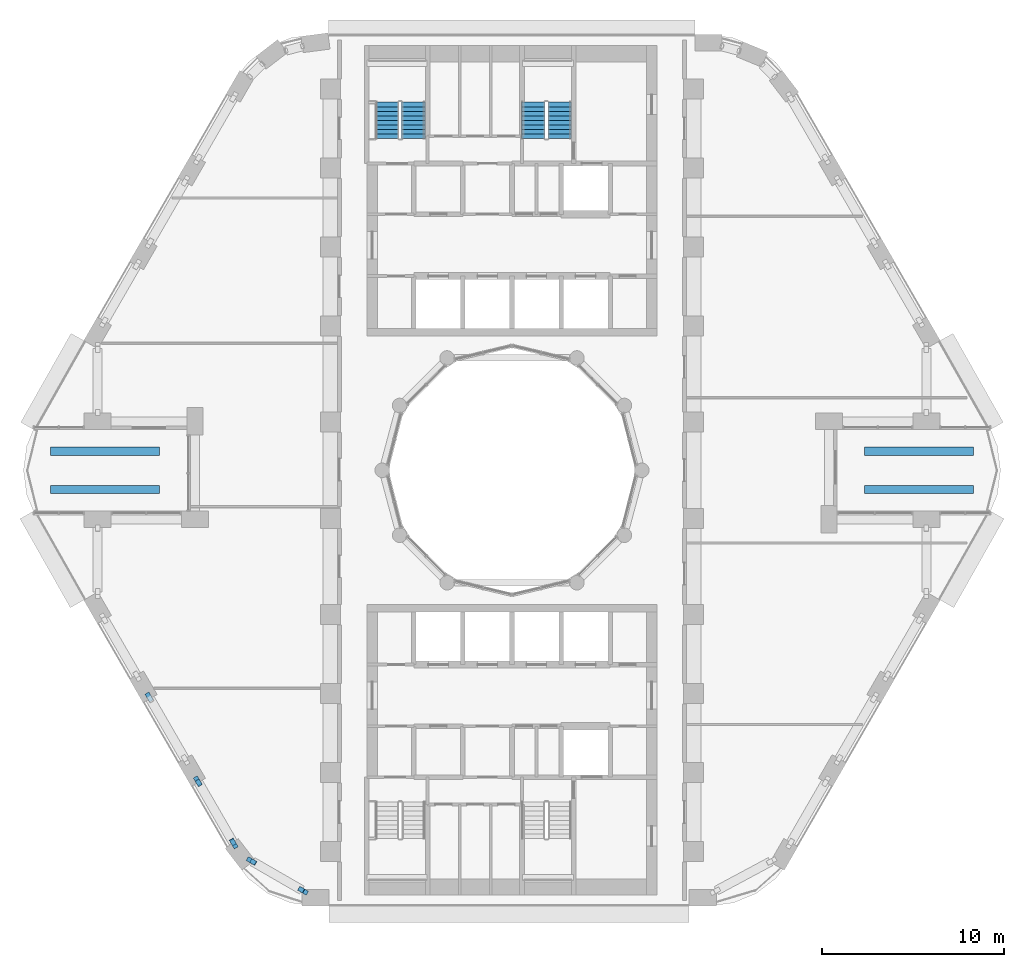
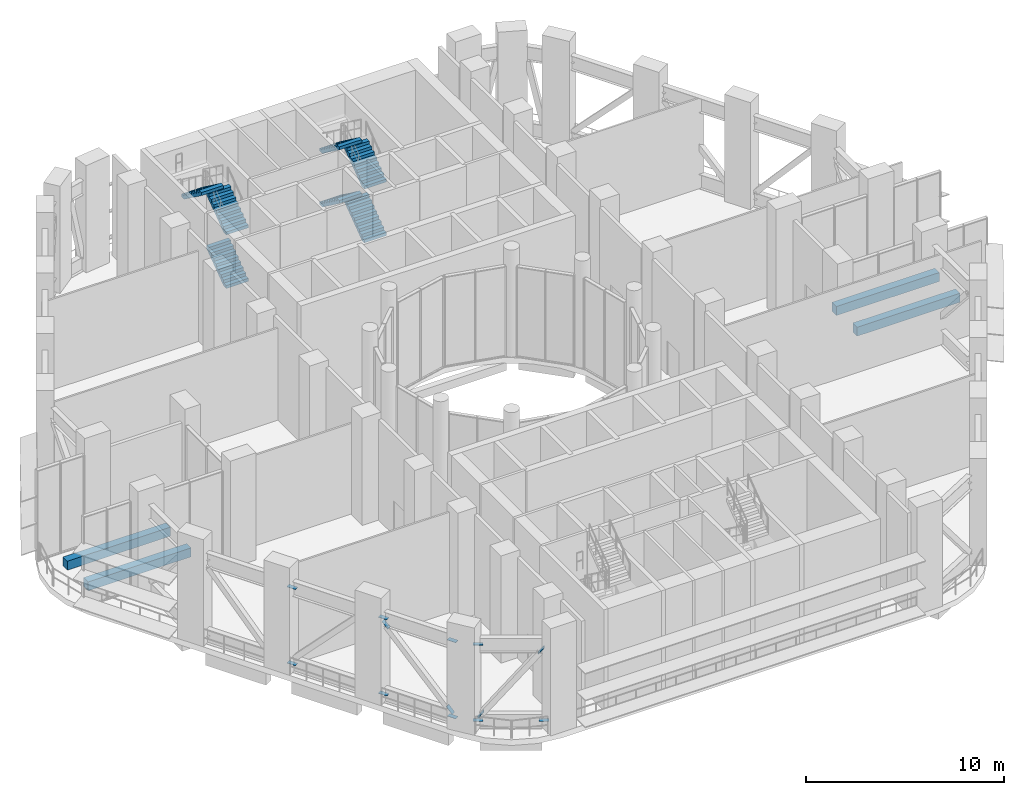
# One storey, part 12 of 20: 17 discrete accessories, 7 stair flights, 2 elements without a shape of their own.
"""IFC4 building model written with IfcOpenShell, lengths in metres."""

from ifc_helpers import new_model, si_unit, direction, frame, origin, origin_2d, place, context, subcontext, project, spatial, polyline, rectangle, outline, extrude, material, material_profile, profile_set, type_object, element, aggregate, save


model = new_model("IFC4")

# Units and contexts
model_context = context("Model", 3, precision=1e-05, world=origin(), true_north=direction((0.0, 1.0)))
body_context = subcontext(model_context, "Body", "Model", "MODEL_VIEW")
ifc_project = project(units=[si_unit("LENGTHUNIT", "METRE"), si_unit("AREAUNIT", "SQUARE_METRE"), si_unit("VOLUMEUNIT", "CUBIC_METRE"), si_unit("PLANEANGLEUNIT", "RADIAN"), si_unit("MASSUNIT", "GRAM", prefix="KILO")], contexts=[model_context])

# Site, building, storey
site_placement = place(None, origin())
site = spatial("IfcSite", under=ifc_project, at=site_placement, CompositionType="ELEMENT")
building_placement = place(site_placement, origin())
building = spatial("IfcBuilding", under=site, at=building_placement, Name="Nakaniwa Court", CompositionType="ELEMENT")
storey_placement = place(building_placement, frame((0.0, 0.0, 71.10009765625)))
storey = spatial("IfcBuildingStorey", under=building, at=storey_placement, Name="S1", CompositionType="ELEMENT", Elevation=71.10009765625)

# Stair, stair flights
ifc_material_1 = material(Name="Concrete C80/100", Category="concrete")
stair_type = type_object("IfcStairType", Name="Dog leg stair 1300 wide 36 risers", PredefinedType="HALF_TURN_STAIR", material=ifc_material_1)
stair_1_placement = place(storey_placement, origin())
stair_1 = element("IfcStair", 1, at=stair_1_placement, inside=storey, type_object=stair_type, Name="S1 Stair ST1", PredefinedType="HALF_TURN_STAIR")
stair_flight_type = type_object("IfcStairFlightType", Name="Stair flight 1300 wide 9 risers", PredefinedType="STRAIGHT", material=ifc_material_1)
stair_flight_1_placement = place(storey_placement, frame((74.574951171875, 98.27490234375, 0.0), z_axis=(0.0, 0.0, 1.0), x_axis=(0.0, 1.0, 0.0)))
stair_flight_1 = element("IfcStairFlight", 2, at=stair_flight_1_placement, type_object=stair_flight_type, Name="ST1 flight 1", NumberOfRisers=9, NumberOfTreads=8, PredefinedType="STRAIGHT", RiserHeight=0.183333333, TreadLength=0.25, context=body_context, shape_type="SweptSolid", body=[
    extrude(outline(polyline([(0.0, 0.0), (0.0, 0.026123046875), (0.0, 0.052490234375), (0.0, 0.07861328125), (0.0, 0.104736328125), (0.0, 0.130859375), (0.0, 0.1572265625), (0.0, 0.183349609375), (0.25, 0.183349609375), (0.25, 0.36669921875), (0.5, 0.36669921875), (0.5, 0.550048828125), (0.75, 0.550048828125), (0.75, 0.7333984375), (1.0, 0.7333984375), (1.0, 0.916748046875), (1.25, 0.916748046875), (1.25, 1.10009765625), (1.5, 1.10009765625), (1.5, 1.283447265625), (1.75, 1.283447265625), (1.75, 1.466552734375), (2.0, 1.466552734375), (2.0, 1.64990234375), (2.0, 1.59716796875), (2.0, 1.54443359375), (2.0, 1.49169921875), (2.0, 1.43896484375), (2.0, 1.38623046875), (2.0, 1.33349609375), (2.0, 1.28076171875), (0.25341796875, 0.0), (0.0, 0.0)])), frame((0.0, 0.64990234375, 0.0), z_axis=(0.0, -1.0, 0.0), x_axis=(1.0, 0.0, 0.0)), (0.0, 0.0, 1.0), 1.300048828125),
])
stair_flight_2_placement = place(storey_placement, frame((74.574951171875, 98.27490234375, 3.2998046875), z_axis=(0.0, 0.0, 1.0), x_axis=(0.0, 1.0, 0.0)))
stair_flight_2 = element("IfcStairFlight", 3, at=stair_flight_2_placement, type_object=stair_flight_type, Name="ST1 flight 3", NumberOfRisers=9, NumberOfTreads=8, PredefinedType="STRAIGHT", RiserHeight=0.183333333, TreadLength=0.25, context=body_context, shape_type="SweptSolid", body=[
    extrude(outline(polyline([(0.0, 0.0), (0.0, 0.026123046875), (0.0, 0.052490234375), (0.0, 0.07861328125), (0.0, 0.104736328125), (0.0, 0.130859375), (0.0, 0.1572265625), (0.0, 0.183349609375), (0.25, 0.183349609375), (0.25, 0.36669921875), (0.5, 0.36669921875), (0.5, 0.550048828125), (0.75, 0.550048828125), (0.75, 0.7333984375), (1.0, 0.7333984375), (1.0, 0.916748046875), (1.25, 0.916748046875), (1.25, 1.10009765625), (1.5, 1.10009765625), (1.5, 1.283447265625), (1.75, 1.283447265625), (1.75, 1.466552734375), (2.0, 1.466552734375), (2.0, 1.64990234375), (2.0, 1.59716796875), (2.0, 1.54443359375), (2.0, 1.49169921875), (2.0, 1.43896484375), (2.0, 1.38623046875), (2.0, 1.33349609375), (2.0, 1.28076171875), (0.25341796875, 0.0), (0.0, 0.0)])), frame((0.0, 0.64990234375, 0.0), z_axis=(0.0, -1.0, 0.0), x_axis=(1.0, 0.0, 0.0)), (0.0, 0.0, 1.0), 1.300048828125),
])
stair_flight_3_placement = place(storey_placement, frame((73.125, 100.27490234375, 4.949951171875), z_axis=(0.0, 0.0, 1.0), x_axis=(0.0, -1.0, 0.0)))
stair_flight_3 = element("IfcStairFlight", 4, at=stair_flight_3_placement, type_object=stair_flight_type, Name="ST1 flight 4", NumberOfRisers=9, NumberOfTreads=8, PredefinedType="STRAIGHT", RiserHeight=0.183333333, TreadLength=0.25, context=body_context, shape_type="SweptSolid", body=[
    extrude(outline(polyline([(0.0, 0.0), (0.0, 0.026123046875), (0.0, 0.052490234375), (0.0, 0.07861328125), (0.0, 0.104736328125), (0.0, 0.130859375), (0.0, 0.1572265625), (0.0, 0.183349609375), (0.25, 0.183349609375), (0.25, 0.36669921875), (0.5, 0.36669921875), (0.5, 0.550048828125), (0.75, 0.550048828125), (0.75, 0.7333984375), (1.0, 0.7333984375), (1.0, 0.916748046875), (1.25, 0.916748046875), (1.25, 1.10009765625), (1.5, 1.10009765625), (1.5, 1.283447265625), (1.75, 1.283447265625), (1.75, 1.466552734375), (2.0, 1.466552734375), (2.0, 1.64990234375), (2.0, 1.59716796875), (2.0, 1.54443359375), (2.0, 1.49169921875), (2.0, 1.43896484375), (2.0, 1.38623046875), (2.0, 1.33349609375), (2.0, 1.28076171875), (0.25341796875, 0.0), (0.0, 0.0)])), frame((0.0, 0.64990234375, 0.0), z_axis=(0.0, -1.0, 0.0), x_axis=(1.0, 0.0, 0.0)), (0.0, 0.0, 1.0), 1.300048828125),
])
aggregate(stair_1, [stair_flight_1, stair_flight_2, stair_flight_3])

stair_2_placement = place(storey_placement, origin())
stair_2 = element("IfcStair", 5, at=stair_2_placement, inside=storey, type_object=stair_type, Name="S1 Stair ST2", PredefinedType="HALF_TURN_STAIR")
stair_flight_4_placement = place(storey_placement, frame((82.625, 98.27490234375, 0.0), z_axis=(0.0, 0.0, 1.0), x_axis=(0.0, 1.0, 0.0)))
stair_flight_4 = element("IfcStairFlight", 6, at=stair_flight_4_placement, type_object=stair_flight_type, Name="ST2 flight 1", NumberOfRisers=9, NumberOfTreads=8, PredefinedType="STRAIGHT", RiserHeight=0.183333333, TreadLength=0.25, context=body_context, shape_type="SweptSolid", body=[
    extrude(outline(polyline([(0.0, 0.0), (0.0, 0.026123046875), (0.0, 0.052490234375), (0.0, 0.07861328125), (0.0, 0.104736328125), (0.0, 0.130859375), (0.0, 0.1572265625), (0.0, 0.183349609375), (0.25, 0.183349609375), (0.25, 0.36669921875), (0.5, 0.36669921875), (0.5, 0.550048828125), (0.75, 0.550048828125), (0.75, 0.7333984375), (1.0, 0.7333984375), (1.0, 0.916748046875), (1.25, 0.916748046875), (1.25, 1.10009765625), (1.5, 1.10009765625), (1.5, 1.283447265625), (1.75, 1.283447265625), (1.75, 1.466552734375), (2.0, 1.466552734375), (2.0, 1.64990234375), (2.0, 1.59716796875), (2.0, 1.54443359375), (2.0, 1.49169921875), (2.0, 1.43896484375), (2.0, 1.38623046875), (2.0, 1.33349609375), (2.0, 1.28076171875), (0.25341796875, 0.0), (0.0, 0.0)])), frame((0.0, 0.64990234375, 0.0), z_axis=(0.0, -1.0, 0.0), x_axis=(1.0, 0.0, 0.0)), (0.0, 0.0, 1.0), 1.300048828125),
])
stair_flight_5_placement = place(storey_placement, frame((81.175048828125, 100.27490234375, 1.64990234375), z_axis=(0.0, 0.0, 1.0), x_axis=(0.0, -1.0, 0.0)))
stair_flight_5 = element("IfcStairFlight", 7, at=stair_flight_5_placement, type_object=stair_flight_type, Name="ST2 flight 2", NumberOfRisers=9, NumberOfTreads=8, PredefinedType="STRAIGHT", RiserHeight=0.183333333, TreadLength=0.25, context=body_context, shape_type="SweptSolid", body=[
    extrude(outline(polyline([(0.0, 0.0), (0.0, 0.026123046875), (0.0, 0.052490234375), (0.0, 0.07861328125), (0.0, 0.104736328125), (0.0, 0.130859375), (0.0, 0.1572265625), (0.0, 0.183349609375), (0.25, 0.183349609375), (0.25, 0.36669921875), (0.5, 0.36669921875), (0.5, 0.550048828125), (0.75, 0.550048828125), (0.75, 0.7333984375), (1.0, 0.7333984375), (1.0, 0.916748046875), (1.25, 0.916748046875), (1.25, 1.10009765625), (1.5, 1.10009765625), (1.5, 1.283447265625), (1.75, 1.283447265625), (1.75, 1.466552734375), (2.0, 1.466552734375), (2.0, 1.64990234375), (2.0, 1.59716796875), (2.0, 1.54443359375), (2.0, 1.49169921875), (2.0, 1.43896484375), (2.0, 1.38623046875), (2.0, 1.33349609375), (2.0, 1.28076171875), (0.25341796875, 0.0), (0.0, 0.0)])), frame((0.0, 0.64990234375, 0.0), z_axis=(0.0, -1.0, 0.0), x_axis=(1.0, 0.0, 0.0)), (0.0, 0.0, 1.0), 1.300048828125),
])
stair_flight_6_placement = place(storey_placement, frame((82.625, 98.27490234375, 3.2998046875), z_axis=(0.0, 0.0, 1.0), x_axis=(0.0, 1.0, 0.0)))
stair_flight_6 = element("IfcStairFlight", 8, at=stair_flight_6_placement, type_object=stair_flight_type, Name="ST2 flight 3", NumberOfRisers=9, NumberOfTreads=8, PredefinedType="STRAIGHT", RiserHeight=0.183333333, TreadLength=0.25, context=body_context, shape_type="SweptSolid", body=[
    extrude(outline(polyline([(0.0, 0.0), (0.0, 0.026123046875), (0.0, 0.052490234375), (0.0, 0.07861328125), (0.0, 0.104736328125), (0.0, 0.130859375), (0.0, 0.1572265625), (0.0, 0.183349609375), (0.25, 0.183349609375), (0.25, 0.36669921875), (0.5, 0.36669921875), (0.5, 0.550048828125), (0.75, 0.550048828125), (0.75, 0.7333984375), (1.0, 0.7333984375), (1.0, 0.916748046875), (1.25, 0.916748046875), (1.25, 1.10009765625), (1.5, 1.10009765625), (1.5, 1.283447265625), (1.75, 1.283447265625), (1.75, 1.466552734375), (2.0, 1.466552734375), (2.0, 1.64990234375), (2.0, 1.59716796875), (2.0, 1.54443359375), (2.0, 1.49169921875), (2.0, 1.43896484375), (2.0, 1.38623046875), (2.0, 1.33349609375), (2.0, 1.28076171875), (0.25341796875, 0.0), (0.0, 0.0)])), frame((0.0, 0.64990234375, 0.0), z_axis=(0.0, -1.0, 0.0), x_axis=(1.0, 0.0, 0.0)), (0.0, 0.0, 1.0), 1.300048828125),
])
stair_flight_7_placement = place(storey_placement, frame((81.175048828125, 100.27490234375, 4.949951171875), z_axis=(0.0, 0.0, 1.0), x_axis=(0.0, -1.0, 0.0)))
stair_flight_7 = element("IfcStairFlight", 9, at=stair_flight_7_placement, type_object=stair_flight_type, Name="ST2 flight 4", NumberOfRisers=9, NumberOfTreads=8, PredefinedType="STRAIGHT", RiserHeight=0.183333333, TreadLength=0.25, context=body_context, shape_type="SweptSolid", body=[
    extrude(outline(polyline([(0.0, 0.0), (0.0, 0.026123046875), (0.0, 0.052490234375), (0.0, 0.07861328125), (0.0, 0.104736328125), (0.0, 0.130859375), (0.0, 0.1572265625), (0.0, 0.183349609375), (0.25, 0.183349609375), (0.25, 0.36669921875), (0.5, 0.36669921875), (0.5, 0.550048828125), (0.75, 0.550048828125), (0.75, 0.7333984375), (1.0, 0.7333984375), (1.0, 0.916748046875), (1.25, 0.916748046875), (1.25, 1.10009765625), (1.5, 1.10009765625), (1.5, 1.283447265625), (1.75, 1.283447265625), (1.75, 1.466552734375), (2.0, 1.466552734375), (2.0, 1.64990234375), (2.0, 1.59716796875), (2.0, 1.54443359375), (2.0, 1.49169921875), (2.0, 1.43896484375), (2.0, 1.38623046875), (2.0, 1.33349609375), (2.0, 1.28076171875), (0.25341796875, 0.0), (0.0, 0.0)])), frame((0.0, 0.64990234375, 0.0), z_axis=(0.0, -1.0, 0.0), x_axis=(1.0, 0.0, 0.0)), (0.0, 0.0, 1.0), 1.300048828125),
])
aggregate(stair_2, [stair_flight_4, stair_flight_5, stair_flight_6, stair_flight_7])

# Discrete accessories
ifc_material_2 = material(Name="Precast concrete C40/50 planter with planted soil", Category="concrete")
discrete_accessory_type_1 = type_object("IfcDiscreteAccessoryType", Name="Planter box charcoal concrete", PredefinedType="USERDEFINED", material=ifc_material_2)
for number, where, z_axis, x_axis, name in (
    (10, (57.591552734375, 78.949951171875, 0.0), (0.0, 0.0, 1.0), (1.0, 0.0, 0.0), "S1 sky garden PLANTER 1.1"),
    (11, (57.591552734375, 81.050048828125, 0.0), (0.0, 0.0, 1.0), (1.0, 0.0, 0.0), "S1 sky garden PLANTER 1.2"),
    (12, (102.408447265625, 78.949951171875, 0.0), (0.0, 0.0, 1.0), (1.0, 0.0, 0.0), "S1 sky garden PLANTER 2.1"),
    (13, (102.408447265625, 81.050048828125, 0.0), (0.0, 0.0, 1.0), (1.0, 0.0, 0.0), "S1 sky garden PLANTER 2.2"),
):
    element("IfcDiscreteAccessory", number, at=place(storey_placement, frame(where, z_axis=z_axis, x_axis=x_axis)), inside=storey, type_object=discrete_accessory_type_1, Name=name, ObjectType="PLANTER", PredefinedType="USERDEFINED", context=body_context, shape_type="SweptSolid", body=[
        extrude(rectangle(XDim=6.0, YDim=0.449951171875, at=origin_2d()), origin(), (0.0, 0.0, 1.0), 0.550048828125),
    ])
ifc_material_3 = material(Name="Steel Grade 350", Category="steel")
ifc_material_profile = material_profile(ifc_material_3, rectangle(XDim=0.25, YDim=0.02001953125, at=origin_2d()), Name="Truss end gusset plate 250x20")
ifc_profile_set = profile_set([ifc_material_profile], Name="Steel Grade 350")
discrete_accessory_type_2 = type_object("IfcDiscreteAccessoryType", Name="Truss end gusset plate 250x20", PredefinedType="BRACKET", material=ifc_profile_set)
for number, where, z_axis, x_axis, name in (
    (14, (60.1416015625, 67.2958984375, 0.449951171875), (-0.499919672301, 0.866071776036, 0.0), (-0.866071776036, -0.499919672301, 0.0), "Gusset plate GU-129"),
    (15, (60.1416015625, 67.2958984375, 5.139892578125), (-0.499919672301, 0.866071776036, 0.0), (-0.866071776036, -0.499919672301, 0.0), "Gusset plate GU-131"),
):
    element("IfcDiscreteAccessory", number, at=place(storey_placement, frame(where, z_axis=z_axis, x_axis=x_axis)), inside=storey, type_object=discrete_accessory_type_2, Name=name, PredefinedType="BRACKET", context=body_context, shape_type="SweptSolid", body=[
        extrude(rectangle(XDim=0.25, YDim=0.02001953125, at=origin_2d()), origin(), (0.0, 0.0, 1.0), 0.5),
    ])
discrete_accessory_1_placement = place(storey_placement, frame((62.804443359375, 62.68359375, 0.449951171875), z_axis=(-0.500131122175, 0.865949687125, 0.0), x_axis=(-0.865949687125, -0.500131122175, 0.0)))
element("IfcDiscreteAccessory", 16, at=discrete_accessory_1_placement, inside=storey, type_object=discrete_accessory_type_2, Name="Gusset plate GU-135", PredefinedType="BRACKET", context=body_context, shape_type="SweptSolid", body=[
    extrude(rectangle(XDim=0.25, YDim=0.02001953125, at=origin_2d()), origin(), (0.0, 0.0, 1.0), 0.499755859375),
])
discrete_accessory_2_placement = place(storey_placement, frame((64.564208984375, 59.635498046875, 0.449951171875), z_axis=(0.499919672301, -0.866071776036, 0.0), x_axis=(0.866071776036, 0.499919672301, 0.0)))
element("IfcDiscreteAccessory", 17, at=discrete_accessory_2_placement, inside=storey, type_object=discrete_accessory_type_2, Name="Gusset plate GU-136", PredefinedType="BRACKET", context=body_context, shape_type="SweptSolid", body=[
    extrude(rectangle(XDim=0.25, YDim=0.02001953125, at=origin_2d()), origin(), (0.0, 0.0, 1.0), 0.5),
])
discrete_accessory_3_placement = place(storey_placement, frame((62.804443359375, 62.68359375, 5.139892578125), z_axis=(-0.500131122175, 0.865949687125, 0.0), x_axis=(-0.865949687125, -0.500131122175, 0.0)))
element("IfcDiscreteAccessory", 18, at=discrete_accessory_3_placement, inside=storey, type_object=discrete_accessory_type_2, Name="Gusset plate GU-137", PredefinedType="BRACKET", context=body_context, shape_type="SweptSolid", body=[
    extrude(rectangle(XDim=0.25, YDim=0.02001953125, at=origin_2d()), origin(), (0.0, 0.0, 1.0), 0.499755859375),
])
for number, where, z_axis, x_axis, name in (
    (19, (64.564208984375, 59.635498046875, 5.139892578125), (0.499919672301, -0.866071776036, 0.0), (0.866071776036, 0.499919672301, 0.0), "Gusset plate GU-138"),
    (20, (62.831298828125, 62.63720703125, 4.581298828125), (-0.345212991888, 0.597653043948, 0.723628930662), (-0.865926356915, -0.500171514983, 0.0), "Gusset plate GU-139"),
    (21, (64.53759765625, 59.681884765625, 1.00830078125), (0.34523414604, -0.598177975811, -0.723184965042), (0.866103179807, 0.499865263774, 0.0), "Gusset plate GU-140"),
):
    element("IfcDiscreteAccessory", number, at=place(storey_placement, frame(where, z_axis=z_axis, x_axis=x_axis)), inside=storey, type_object=discrete_accessory_type_2, Name=name, PredefinedType="BRACKET", context=body_context, shape_type="SweptSolid", body=[
        extrude(rectangle(XDim=0.25, YDim=0.02001953125, at=origin_2d()), origin(), (0.0, 0.0, 1.0), 0.5),
    ])
discrete_accessory_4_placement = place(storey_placement, frame((65.850341796875, 58.36962890625, 0.449951171875), z_axis=(-0.865949687125, 0.500131122175, 0.0), x_axis=(-0.500131122175, -0.865949687125, 0.0)))
element("IfcDiscreteAccessory", 22, at=discrete_accessory_4_placement, inside=storey, type_object=discrete_accessory_type_2, Name="Gusset plate GU-141", PredefinedType="BRACKET", context=body_context, shape_type="SweptSolid", body=[
    extrude(rectangle(XDim=0.25, YDim=0.02001953125, at=origin_2d()), origin(), (0.0, 0.0, 1.0), 0.499755859375),
])
discrete_accessory_5_placement = place(storey_placement, frame((68.29541015625, 56.9580078125, 0.449951171875), z_axis=(0.866071776036, -0.499919672301, 0.0), x_axis=(0.499919672301, 0.866071776036, 0.0)))
element("IfcDiscreteAccessory", 23, at=discrete_accessory_5_placement, inside=storey, type_object=discrete_accessory_type_2, Name="Gusset plate GU-142", PredefinedType="BRACKET", context=body_context, shape_type="SweptSolid", body=[
    extrude(rectangle(XDim=0.25, YDim=0.02001953125, at=origin_2d()), origin(), (0.0, 0.0, 1.0), 0.5),
])
discrete_accessory_6_placement = place(storey_placement, frame((65.850341796875, 58.36962890625, 5.139892578125), z_axis=(-0.865949687125, 0.500131122175, 0.0), x_axis=(-0.500131122175, -0.865949687125, 0.0)))
element("IfcDiscreteAccessory", 24, at=discrete_accessory_6_placement, inside=storey, type_object=discrete_accessory_type_2, Name="Gusset plate GU-143", PredefinedType="BRACKET", context=body_context, shape_type="SweptSolid", body=[
    extrude(rectangle(XDim=0.25, YDim=0.02001953125, at=origin_2d()), origin(), (0.0, 0.0, 1.0), 0.499755859375),
])
discrete_accessory_7_placement = place(storey_placement, frame((65.886474609375, 58.348876953125, 1.018798828125), z_axis=(-0.528802668193, 0.305172361607, -0.791983312844), x_axis=(-0.499837838923, -0.866119007285, 0.0)))
element("IfcDiscreteAccessory", 25, at=discrete_accessory_7_placement, inside=storey, type_object=discrete_accessory_type_2, Name="Gusset plate GU-144", PredefinedType="BRACKET", context=body_context, shape_type="SweptSolid", body=[
    extrude(rectangle(XDim=0.25, YDim=0.02001953125, at=origin_2d()), origin(), (0.0, 0.0, 1.0), 0.5),
])
discrete_accessory_8_placement = place(storey_placement, frame((68.259521484375, 56.978759765625, 4.571044921875), z_axis=(0.528450793829, -0.305251151704, 0.792187788901), x_axis=(0.500184261807, 0.865918994041, 0.0)))
element("IfcDiscreteAccessory", 26, at=discrete_accessory_8_placement, inside=storey, type_object=discrete_accessory_type_2, Name="Gusset plate GU-145", PredefinedType="BRACKET", context=body_context, shape_type="SweptSolid", body=[
    extrude(rectangle(XDim=0.25, YDim=0.02001953125, at=origin_2d()), origin(), (0.0, 0.0, 1.0), 0.499755859375),
])

save(model, "model.ifc")
